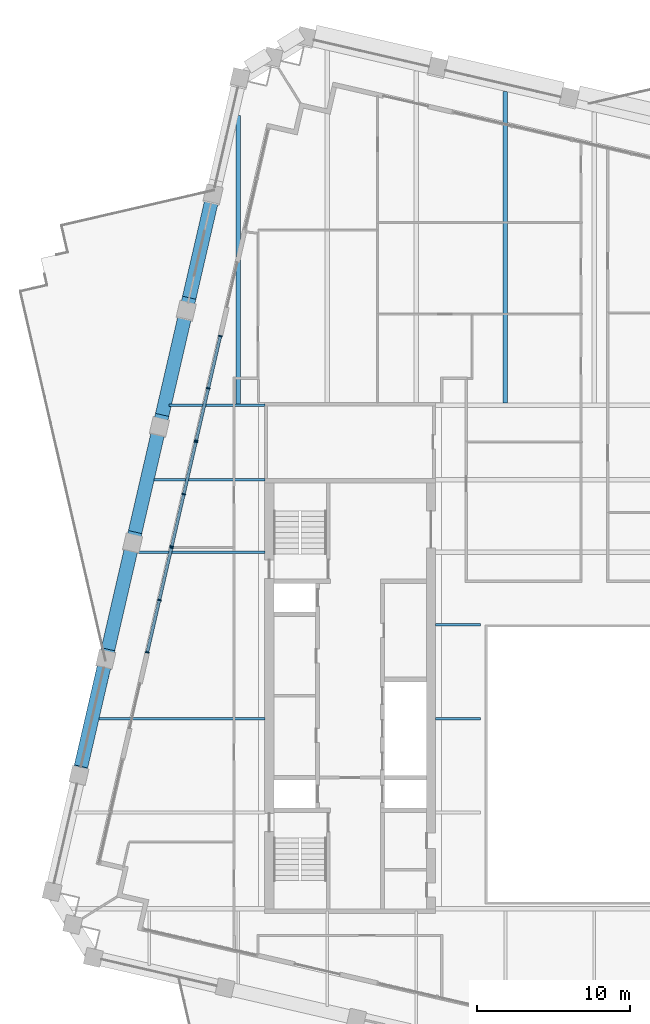
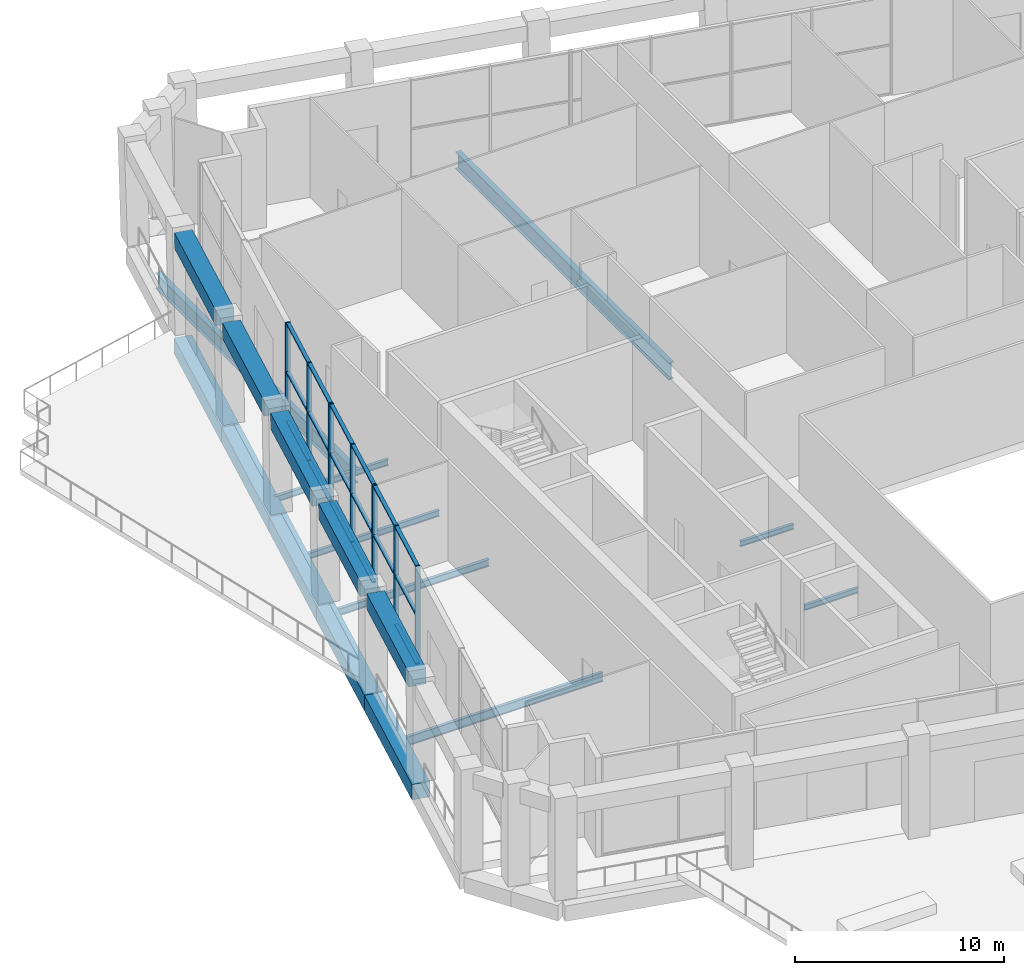
# One storey, part 4 of 21: 27 members, 18 beams, 3 elements without a shape of their own.
"""IFC4 building model written with IfcOpenShell, lengths in metres."""

from ifc_helpers import new_model, si_unit, direction, frame, origin, origin_2d, place, context, subcontext, project, spatial, rectangle, i_section, extrude, material, material_profile, profile_set, type_object, element, aggregate, save


model = new_model("IFC4")

# Units and contexts
model_context = context("Model", 3, precision=1e-05, world=origin(), true_north=direction((0.0, 1.0)))
body_context = subcontext(model_context, "Body", "Model", "MODEL_VIEW")
ifc_project = project(units=[si_unit("LENGTHUNIT", "METRE"), si_unit("AREAUNIT", "SQUARE_METRE"), si_unit("VOLUMEUNIT", "CUBIC_METRE"), si_unit("PLANEANGLEUNIT", "RADIAN"), si_unit("MASSUNIT", "GRAM", prefix="KILO")], contexts=[model_context])

# Site, building, storey
site_placement = place(None, origin())
site = spatial("IfcSite", under=ifc_project, at=site_placement, CompositionType="ELEMENT")
building_placement = place(site_placement, origin())
building = spatial("IfcBuilding", under=site, at=building_placement, Name="Ogive Exchange Tower", CompositionType="ELEMENT")
storey_placement = place(building_placement, frame((0.0, 0.0, 237.0)))
storey = spatial("IfcBuildingStorey", under=building, at=storey_placement, Name="L51", CompositionType="ELEMENT", Elevation=237.0)

# Beams
ifc_material_1 = material(Name="Steel ASTM A992 Gr50", Category="steel")
ifc_material_profile_1 = material_profile(ifc_material_1, i_section(OverallWidth=0.300048828125, OverallDepth=0.97998046875, WebThickness=0.0166015625, FlangeThickness=0.026123046875, at=origin_2d()), Name="W1000x249")
ifc_profile_set_1 = profile_set([ifc_material_profile_1], Name="Steel ASTM A992 Gr50")
beam_type_1 = type_object("IfcBeamType", Name="Floor beam W1000x249", PredefinedType="JOIST", material=ifc_profile_set_1)
beam_1_placement = place(storey_placement, frame((-5.829833984375, 30.695068359375, -0.93994140625), z_axis=(0.0, 1.0, 0.0), x_axis=(-1.0, 0.0, 0.0)))
element("IfcBeam", 1, at=beam_1_placement, inside=storey, type_object=beam_type_1, Name="Floor beam", PredefinedType="JOIST", context=body_context, shape_type="SweptSolid", body=[
    extrude(i_section(OverallWidth=0.300048828125, OverallDepth=0.97998046875, WebThickness=0.0166015625, FlangeThickness=0.026123046875, at=origin_2d()), origin(), (0.0, 0.0, 1.0), 20.40185546875),
])
ifc_material_profile_2 = material_profile(ifc_material_1, i_section(OverallWidth=0.1650390625, OverallDepth=0.31005859375, WebThickness=0.005859375, FlangeThickness=0.009765625, at=origin_2d()), Name="W310x38.7")
ifc_profile_set_2 = profile_set([ifc_material_profile_2], Name="Steel ASTM A992 Gr50")
beam_type_2 = type_object("IfcBeamType", Name="Floor beam W310x38.7", PredefinedType="JOIST", material=ifc_profile_set_2)
beam_2_placement = place(storey_placement, frame((-10.419921875, 10.006591796875, -0.60498046875), z_axis=(1.0, 0.0, 0.0), x_axis=(0.0, 1.0, 0.0)))
element("IfcBeam", 2, at=beam_2_placement, inside=storey, type_object=beam_type_2, Name="Floor beam", PredefinedType="JOIST", context=body_context, shape_type="SweptSolid", body=[
    extrude(i_section(OverallWidth=0.1650390625, OverallDepth=0.31005859375, WebThickness=0.005859375, FlangeThickness=0.009765625, at=origin_2d()), origin(), (0.0, 0.0, 1.0), 2.949951171875),
])
ifc_material_profile_3 = material_profile(ifc_material_1, i_section(OverallWidth=0.1708984375, OverallDepth=0.35595703125, WebThickness=0.00732421875, FlangeThickness=0.01171875, at=origin_2d()), Name="W360x51")
ifc_profile_set_3 = profile_set([ifc_material_profile_3], Name="Steel ASTM A992 Gr50")
beam_type_3 = type_object("IfcBeamType", Name="Floor beam W360x51", PredefinedType="JOIST", material=ifc_profile_set_3)
beam_3_placement = place(storey_placement, frame((-28.831787109375, 25.64501953125, -0.6279296875), z_axis=(1.0, 0.0, 0.0), x_axis=(0.0, 1.0, 0.0)))
element("IfcBeam", 3, at=beam_3_placement, inside=storey, type_object=beam_type_3, Name="Floor beam", PredefinedType="JOIST", context=body_context, shape_type="SweptSolid", body=[
    extrude(i_section(OverallWidth=0.1708984375, OverallDepth=0.35595703125, WebThickness=0.00732421875, FlangeThickness=0.01171875, at=origin_2d()), origin(), (0.0, 0.0, 1.0), 7.251708984375),
])
ifc_material_profile_4 = material_profile(ifc_material_1, i_section(OverallWidth=0.177978515625, OverallDepth=0.406005859375, WebThickness=0.0078125, FlangeThickness=0.0126953125, at=origin_2d()), Name="W410x60")
ifc_profile_set_4 = profile_set([ifc_material_profile_4], Name="Steel ASTM A992 Gr50")
beam_type_4 = type_object("IfcBeamType", Name="Floor beam W410x60", PredefinedType="JOIST", material=ifc_profile_set_4)
beam_4_placement = place(storey_placement, frame((-29.927001953125, 20.89990234375, -0.653076171875), z_axis=(1.0, 0.0, 0.0), x_axis=(0.0, 1.0, 0.0)))
element("IfcBeam", 4, at=beam_4_placement, inside=storey, type_object=beam_type_4, Name="Floor beam", PredefinedType="JOIST", context=body_context, shape_type="SweptSolid", body=[
    extrude(i_section(OverallWidth=0.177978515625, OverallDepth=0.406005859375, WebThickness=0.0078125, FlangeThickness=0.0126953125, at=origin_2d()), origin(), (0.0, 0.0, 1.0), 8.346923828125),
])
ifc_material_profile_5 = material_profile(ifc_material_1, i_section(OverallWidth=0.1669921875, OverallDepth=0.535888671875, WebThickness=0.01025390625, FlangeThickness=0.0166015625, at=origin_2d()), Name="W530x85")
ifc_profile_set_5 = profile_set([ifc_material_profile_5], Name="Steel ASTM A992 Gr50")
beam_type_5 = type_object("IfcBeamType", Name="Floor beam W530x85", PredefinedType="JOIST", material=ifc_profile_set_5)
beam_5_placement = place(storey_placement, frame((-32.442138671875, 10.006591796875, -0.718017578125), z_axis=(1.0, 0.0, 0.0), x_axis=(0.0, 1.0, 0.0)))
element("IfcBeam", 5, at=beam_5_placement, inside=storey, type_object=beam_type_5, Name="Floor beam", PredefinedType="JOIST", context=body_context, shape_type="SweptSolid", body=[
    extrude(i_section(OverallWidth=0.1669921875, OverallDepth=0.535888671875, WebThickness=0.01025390625, FlangeThickness=0.0166015625, at=origin_2d()), origin(), (0.0, 0.0, 1.0), 10.862060546875),
])
ifc_material_profile_6 = material_profile(ifc_material_1, i_section(OverallWidth=0.304931640625, OverallDepth=0.904052734375, WebThickness=0.01513671875, FlangeThickness=0.02001953125, at=origin_2d()), Name="W920x201")
ifc_profile_set_6 = profile_set([ifc_material_profile_6], Name="Steel ASTM A992 Gr50")
beam_type_6 = type_object("IfcBeamType", Name="Floor beam W920x201", PredefinedType="JOIST", material=ifc_profile_set_6)
beam_6_placement = place(storey_placement, frame((-23.319091796875, 30.630615234375, -0.902099609375), z_axis=(0.0, 1.0, 0.0), x_axis=(-1.0, 0.0, 0.0)))
element("IfcBeam", 6, at=beam_6_placement, inside=storey, type_object=beam_type_6, Name="Floor beam", PredefinedType="JOIST", context=body_context, shape_type="SweptSolid", body=[
    extrude(i_section(OverallWidth=0.304931640625, OverallDepth=0.904052734375, WebThickness=0.01513671875, FlangeThickness=0.02001953125, at=origin_2d()), origin(), (0.0, 0.0, 1.0), 18.891845703125),
])
ifc_material_profile_7 = material_profile(ifc_material_1, i_section(OverallWidth=0.1650390625, OverallDepth=0.31005859375, WebThickness=0.005859375, FlangeThickness=0.009765625, at=origin_2d()), Name="W310x38.7")
ifc_profile_set_7 = profile_set([ifc_material_profile_7], Name="Steel ASTM A992 Gr50")
beam_type_7 = type_object("IfcBeamType", Name="Girder W310x38.7", PredefinedType="BEAM", material=ifc_profile_set_7)
beam_7_placement = place(storey_placement, frame((-10.419921875, 16.155029296875, -0.60498046875), z_axis=(1.0, 0.0, 0.0), x_axis=(0.0, 1.0, 0.0)))
element("IfcBeam", 7, at=beam_7_placement, inside=storey, type_object=beam_type_7, Name="Trimmer girder", PredefinedType="BEAM", context=body_context, shape_type="SweptSolid", body=[
    extrude(i_section(OverallWidth=0.1650390625, OverallDepth=0.31005859375, WebThickness=0.005859375, FlangeThickness=0.009765625, at=origin_2d()), origin(), (0.0, 0.0, 1.0), 2.949951171875),
])
ifc_material_profile_8 = material_profile(ifc_material_1, i_section(OverallWidth=0.1708984375, OverallDepth=0.35595703125, WebThickness=0.00732421875, FlangeThickness=0.01171875, at=origin_2d()), Name="W360x51")
ifc_profile_set_8 = profile_set([ifc_material_profile_8], Name="Steel ASTM A992 Gr50")
beam_type_8 = type_object("IfcBeamType", Name="Girder W360x51", PredefinedType="BEAM", material=ifc_profile_set_8)
beam_8_placement = place(storey_placement, frame((-27.850341796875, 30.544921875, -0.6279296875), z_axis=(1.0, 0.0, 0.0), x_axis=(0.0, 1.0, 0.0)))
element("IfcBeam", 8, at=beam_8_placement, inside=storey, type_object=beam_type_8, Name="Header girder", PredefinedType="BEAM", context=body_context, shape_type="SweptSolid", body=[
    extrude(i_section(OverallWidth=0.1708984375, OverallDepth=0.35595703125, WebThickness=0.00732421875, FlangeThickness=0.01171875, at=origin_2d()), origin(), (0.0, 0.0, 1.0), 6.270263671875),
])
ifc_material_2 = material(Name="Precast concrete C70/85 (limestone faced)", Category="masonry")
ifc_material_profile_9 = material_profile(ifc_material_2, rectangle(XDim=0.89990234375, YDim=0.89990234375, at=origin_2d()), Name="900 x 900")
ifc_profile_set_9 = profile_set([ifc_material_profile_9], Name="Precast concrete C70/85 (limestone faced)")
beam_type_9 = type_object("IfcBeamType", Name="Precast spandrel 900 x 900 C70/85", PredefinedType="SPANDREL", material=ifc_profile_set_9)
for number, where, z_axis, x_axis, name in (
    (9, (-25.0048828125, 44.2216796875, 5.300048828125), (-0.224945807101, -0.974371276192, 0.0), (0.974371276192, -0.224945807101, 0.0), "Spandrel 27"),
    (10, (-26.77685546875, 36.545654296875, 5.300048828125), (-0.224945807101, -0.974371276192, 0.0), (0.974371276192, -0.224945807101, 0.0), "Spandrel 28"),
    (11, (-28.549072265625, 28.86962890625, 5.300048828125), (-0.224945807101, -0.974371276192, 0.0), (0.974371276192, -0.224945807101, 0.0), "Spandrel 29"),
    (12, (-30.3212890625, 21.193603515625, 5.300048828125), (-0.224945807101, -0.974371276192, 0.0), (0.974371276192, -0.224945807101, 0.0), "Spandrel 30"),
):
    element("IfcBeam", number, at=place(storey_placement, frame(where, z_axis=z_axis, x_axis=x_axis)), inside=storey, type_object=beam_type_9, Name=name, PredefinedType="SPANDREL", context=body_context, shape_type="SweptSolid", body=[
        extrude(rectangle(XDim=0.89990234375, YDim=0.89990234375, at=origin_2d()), origin(), (0.0, 0.0, 1.0), 6.818115234375),
    ])
beam_9_placement = place(storey_placement, frame((-32.093505859375, 13.517578125, 5.300048828125), z_axis=(-0.22495365579, -0.97436946419, 0.0), x_axis=(0.97436946419, -0.22495365579, 0.0)))
element("IfcBeam", 13, at=beam_9_placement, inside=storey, type_object=beam_type_9, Name="Spandrel 31", PredefinedType="SPANDREL", context=body_context, shape_type="SweptSolid", body=[
    extrude(rectangle(XDim=0.89990234375, YDim=0.89990234375, at=origin_2d()), origin(), (0.0, 0.0, 1.0), 6.81787109375),
])
ifc_material_profile_10 = material_profile(ifc_material_2, rectangle(XDim=0.89990234375, YDim=0.89990234375, at=origin_2d()), Name="900 x 900")
ifc_profile_set_10 = profile_set([ifc_material_profile_10], Name="Precast concrete C70/85 (limestone faced)")
beam_type_10 = type_object("IfcBeamType", Name="Precast transfer girder 900 x 900 C70/85", PredefinedType="BEAM", material=ifc_profile_set_10)
for number, where, z_axis, x_axis, name in (
    (14, (-24.99072265625, 44.282470703125, -0.89990234375), (-0.22495322987, -0.974369562523, 0.0), (0.974369562523, -0.22495322987, 0.0), "Transfer girder 27"),
    (15, (-26.745361328125, 36.682373046875, -0.89990234375), (-0.22495322987, -0.974369562523, 0.0), (0.974369562523, -0.22495322987, 0.0), "Transfer girder 28"),
    (16, (-28.5, 29.082275390625, -0.89990234375), (-0.22495322987, -0.974369562523, 0.0), (0.974369562523, -0.22495322987, 0.0), "Transfer girder 29"),
    (17, (-30.254638671875, 21.482177734375, -0.89990234375), (-0.22495322987, -0.974369562523, 0.0), (0.974369562523, -0.22495322987, 0.0), "Transfer girder 30"),
    (18, (-32.00927734375, 13.882080078125, -0.89990234375), (-0.22495322987, -0.974369562523, 0.0), (0.974369562523, -0.22495322987, 0.0), "Transfer girder 31"),
):
    element("IfcBeam", number, at=place(storey_placement, frame(where, z_axis=z_axis, x_axis=x_axis)), inside=storey, type_object=beam_type_10, Name=name, PredefinedType="BEAM", context=body_context, shape_type="SweptSolid", body=[
        extrude(rectangle(XDim=0.89990234375, YDim=0.89990234375, at=origin_2d()), origin(), (0.0, 0.0, 1.0), 7.800048828125),
    ])

# Curtain wall, members
ifc_material_3 = material(Name="Anodised aluminium and clear glass", Category="aluminium")
curtain_wall_type = type_object("IfcCurtainWallType", Name="Winter garden glazing", PredefinedType="NOTDEFINED", material=ifc_material_3)
curtain_wall_1_placement = place(storey_placement, origin())
curtain_wall_1 = element("IfcCurtainWall", 19, at=curtain_wall_1_placement, inside=storey, type_object=curtain_wall_type, Name="Winter garden glazing run G22", PredefinedType="NOTDEFINED")
ifc_material_4 = material(Name="Anodised aluminium", Category="aluminium")
ifc_material_profile_11 = material_profile(ifc_material_4, rectangle(XDim=0.239990234375, YDim=0.080078125, at=origin_2d()), Name="AL 80x240")
ifc_profile_set_11 = profile_set([ifc_material_profile_11], Name="Anodised aluminium")
member_type_1 = type_object("IfcMemberType", Name="Winter garden glazing mullion 80 x 240", PredefinedType="MULLION", material=ifc_profile_set_11)
member_1_placement = place(storey_placement, frame((-24.5009765625, 35.067626953125, 0.0), z_axis=(0.0, 0.0, 1.0), x_axis=(0.974372477105, -0.224940605185, 0.0)))
member_1 = element("IfcMember", 20, at=member_1_placement, type_object=member_type_1, Name="G22 mullion 1", PredefinedType="MULLION", context=body_context, shape_type="SweptSolid", body=[
    extrude(rectangle(XDim=0.239990234375, YDim=0.080078125, at=origin_2d()), origin(), (0.0, 0.0, 1.0), 5.800048828125),
])
member_2_placement = place(storey_placement, frame((-25.292236328125, 31.640625, 0.0), z_axis=(0.0, 0.0, 1.0), x_axis=(0.974372477105, -0.224940605185, 0.0)))
member_2 = element("IfcMember", 21, at=member_2_placement, type_object=member_type_1, Name="G22 mullion 2", PredefinedType="MULLION", context=body_context, shape_type="SweptSolid", body=[
    extrude(rectangle(XDim=0.239990234375, YDim=0.080078125, at=origin_2d()), origin(), (0.0, 0.0, 1.0), 5.800048828125),
])
member_3_placement = place(storey_placement, frame((-26.08349609375, 28.213623046875, 0.0), z_axis=(0.0, 0.0, 1.0), x_axis=(0.974372477105, -0.224940605185, 0.0)))
member_3 = element("IfcMember", 22, at=member_3_placement, type_object=member_type_1, Name="G22 mullion 3", PredefinedType="MULLION", context=body_context, shape_type="SweptSolid", body=[
    extrude(rectangle(XDim=0.239990234375, YDim=0.080078125, at=origin_2d()), origin(), (0.0, 0.0, 1.0), 5.800048828125),
])

curtain_wall_2_placement = place(storey_placement, origin())
curtain_wall_2 = element("IfcCurtainWall", 23, at=curtain_wall_2_placement, inside=storey, type_object=curtain_wall_type, Name="Winter garden glazing run G23", PredefinedType="NOTDEFINED")
member_4_placement = place(storey_placement, frame((-26.101318359375, 28.1357421875, 0.0), z_axis=(0.0, 0.0, 1.0), x_axis=(0.974368684938, -0.224957031035, 0.0)))
member_4 = element("IfcMember", 24, at=member_4_placement, type_object=member_type_1, Name="G23 mullion 1", PredefinedType="MULLION", context=body_context, shape_type="SweptSolid", body=[
    extrude(rectangle(XDim=0.239990234375, YDim=0.080078125, at=origin_2d()), origin(), (0.0, 0.0, 1.0), 5.800048828125),
])
member_5_placement = place(storey_placement, frame((-26.892578125, 24.708740234375, 0.0), z_axis=(0.0, 0.0, 1.0), x_axis=(0.974368684938, -0.224957031035, 0.0)))
member_5 = element("IfcMember", 25, at=member_5_placement, type_object=member_type_1, Name="G23 mullion 2", PredefinedType="MULLION", context=body_context, shape_type="SweptSolid", body=[
    extrude(rectangle(XDim=0.239990234375, YDim=0.080078125, at=origin_2d()), origin(), (0.0, 0.0, 1.0), 5.800048828125),
])
member_6_placement = place(storey_placement, frame((-27.683837890625, 21.28173828125, 0.0), z_axis=(0.0, 0.0, 1.0), x_axis=(0.974368684938, -0.224957031035, 0.0)))
member_6 = element("IfcMember", 26, at=member_6_placement, type_object=member_type_1, Name="G23 mullion 3", PredefinedType="MULLION", context=body_context, shape_type="SweptSolid", body=[
    extrude(rectangle(XDim=0.239990234375, YDim=0.080078125, at=origin_2d()), origin(), (0.0, 0.0, 1.0), 5.800048828125),
])

curtain_wall_3_placement = place(storey_placement, origin())
curtain_wall_3 = element("IfcCurtainWall", 27, at=curtain_wall_3_placement, inside=storey, type_object=curtain_wall_type, Name="Winter garden glazing run G24", PredefinedType="NOTDEFINED")
member_7_placement = place(storey_placement, frame((-27.701904296875, 21.20361328125, 0.0), z_axis=(0.0, 0.0, 1.0), x_axis=(0.974369396254, -0.224953950051, 0.0)))
member_7 = element("IfcMember", 28, at=member_7_placement, type_object=member_type_1, Name="G24 mullion 1", PredefinedType="MULLION", context=body_context, shape_type="SweptSolid", body=[
    extrude(rectangle(XDim=0.239990234375, YDim=0.080078125, at=origin_2d()), origin(), (0.0, 0.0, 1.0), 5.800048828125),
])
member_8_placement = place(storey_placement, frame((-28.492919921875, 17.776611328125, 0.0), z_axis=(0.0, 0.0, 1.0), x_axis=(0.974369396254, -0.224953950051, 0.0)))
member_8 = element("IfcMember", 29, at=member_8_placement, type_object=member_type_1, Name="G24 mullion 2", PredefinedType="MULLION", context=body_context, shape_type="SweptSolid", body=[
    extrude(rectangle(XDim=0.239990234375, YDim=0.080078125, at=origin_2d()), origin(), (0.0, 0.0, 1.0), 5.800048828125),
])
member_9_placement = place(storey_placement, frame((-29.2841796875, 14.349609375, 0.0), z_axis=(0.0, 0.0, 1.0), x_axis=(0.974369396254, -0.224953950051, 0.0)))
member_9 = element("IfcMember", 30, at=member_9_placement, type_object=member_type_1, Name="G24 mullion 3", PredefinedType="MULLION", context=body_context, shape_type="SweptSolid", body=[
    extrude(rectangle(XDim=0.239990234375, YDim=0.080078125, at=origin_2d()), origin(), (0.0, 0.0, 1.0), 5.800048828125),
])

# Member
ifc_material_profile_12 = material_profile(ifc_material_4, rectangle(XDim=0.199951171875, YDim=0.080078125, at=origin_2d()), Name="AL 80x200")
ifc_profile_set_12 = profile_set([ifc_material_profile_12], Name="Anodised aluminium")
member_type_2 = type_object("IfcMemberType", Name="Winter garden glazing transom 80 x 200", PredefinedType="USERDEFINED", material=ifc_profile_set_12)
member_10_placement = place(storey_placement, frame((-24.510009765625, 35.028564453125, 0.0400390625), z_axis=(-0.224963262299, -0.974367246276, 0.0), x_axis=(0.974367246276, -0.224963262299, 0.0)))
member_10 = element("IfcMember", 31, at=member_10_placement, type_object=member_type_2, Name="G22 transom 1.1", ObjectType="TRANSOM", PredefinedType="USERDEFINED", context=body_context, shape_type="SweptSolid", body=[
    extrude(rectangle(XDim=0.199951171875, YDim=0.080078125, at=origin_2d()), origin(), (0.0, 0.0, 1.0), 3.43701171875),
])

member_11_placement = place(storey_placement, frame((-24.510009765625, 35.028564453125, 2.89990234375), z_axis=(-0.224963262299, -0.974367246276, 0.0), x_axis=(0.974367246276, -0.224963262299, 0.0)))
member_11 = element("IfcMember", 32, at=member_11_placement, type_object=member_type_2, Name="G22 transom 1.2", ObjectType="TRANSOM", PredefinedType="USERDEFINED", context=body_context, shape_type="SweptSolid", body=[
    extrude(rectangle(XDim=0.199951171875, YDim=0.080078125, at=origin_2d()), origin(), (0.0, 0.0, 1.0), 3.43701171875),
])

member_12_placement = place(storey_placement, frame((-24.510009765625, 35.028564453125, 5.760009765625), z_axis=(-0.224963262299, -0.974367246276, 0.0), x_axis=(0.974367246276, -0.224963262299, 0.0)))
member_12 = element("IfcMember", 33, at=member_12_placement, type_object=member_type_2, Name="G22 transom 1.3", ObjectType="TRANSOM", PredefinedType="USERDEFINED", context=body_context, shape_type="SweptSolid", body=[
    extrude(rectangle(XDim=0.199951171875, YDim=0.080078125, at=origin_2d()), origin(), (0.0, 0.0, 1.0), 3.43701171875),
])

member_13_placement = place(storey_placement, frame((-25.30126953125, 31.6015625, 0.0400390625), z_axis=(-0.224947693018, -0.974370840802, 0.0), x_axis=(0.974370840802, -0.224947693018, 0.0)))
member_13 = element("IfcMember", 34, at=member_13_placement, type_object=member_type_2, Name="G22 transom 2.1", ObjectType="TRANSOM", PredefinedType="USERDEFINED", context=body_context, shape_type="SweptSolid", body=[
    extrude(rectangle(XDim=0.199951171875, YDim=0.080078125, at=origin_2d()), origin(), (0.0, 0.0, 1.0), 3.437255859375),
])

member_14_placement = place(storey_placement, frame((-25.30126953125, 31.6015625, 2.89990234375), z_axis=(-0.224947693018, -0.974370840802, 0.0), x_axis=(0.974370840802, -0.224947693018, 0.0)))
member_14 = element("IfcMember", 35, at=member_14_placement, type_object=member_type_2, Name="G22 transom 2.2", ObjectType="TRANSOM", PredefinedType="USERDEFINED", context=body_context, shape_type="SweptSolid", body=[
    extrude(rectangle(XDim=0.199951171875, YDim=0.080078125, at=origin_2d()), origin(), (0.0, 0.0, 1.0), 3.437255859375),
])

member_15_placement = place(storey_placement, frame((-25.30126953125, 31.6015625, 5.760009765625), z_axis=(-0.224947693018, -0.974370840802, 0.0), x_axis=(0.974370840802, -0.224947693018, 0.0)))
member_15 = element("IfcMember", 36, at=member_15_placement, type_object=member_type_2, Name="G22 transom 2.3", ObjectType="TRANSOM", PredefinedType="USERDEFINED", context=body_context, shape_type="SweptSolid", body=[
    extrude(rectangle(XDim=0.199951171875, YDim=0.080078125, at=origin_2d()), origin(), (0.0, 0.0, 1.0), 3.437255859375),
])

aggregate(curtain_wall_1, [member_1, member_2, member_3, member_10, member_11, member_12, member_13, member_14, member_15])

member_16_placement = place(storey_placement, frame((-26.1103515625, 28.0966796875, 0.0400390625), z_axis=(-0.224947693018, -0.974370840802, 0.0), x_axis=(0.974370840802, -0.224947693018, 0.0)))
member_16 = element("IfcMember", 37, at=member_16_placement, type_object=member_type_2, Name="G23 transom 1.1", ObjectType="TRANSOM", PredefinedType="USERDEFINED", context=body_context, shape_type="SweptSolid", body=[
    extrude(rectangle(XDim=0.199951171875, YDim=0.080078125, at=origin_2d()), origin(), (0.0, 0.0, 1.0), 3.437255859375),
])

member_17_placement = place(storey_placement, frame((-26.1103515625, 28.0966796875, 2.89990234375), z_axis=(-0.224947693018, -0.974370840802, 0.0), x_axis=(0.974370840802, -0.224947693018, 0.0)))
member_17 = element("IfcMember", 38, at=member_17_placement, type_object=member_type_2, Name="G23 transom 1.2", ObjectType="TRANSOM", PredefinedType="USERDEFINED", context=body_context, shape_type="SweptSolid", body=[
    extrude(rectangle(XDim=0.199951171875, YDim=0.080078125, at=origin_2d()), origin(), (0.0, 0.0, 1.0), 3.437255859375),
])

member_18_placement = place(storey_placement, frame((-26.1103515625, 28.0966796875, 5.760009765625), z_axis=(-0.224947693018, -0.974370840802, 0.0), x_axis=(0.974370840802, -0.224947693018, 0.0)))
member_18 = element("IfcMember", 39, at=member_18_placement, type_object=member_type_2, Name="G23 transom 1.3", ObjectType="TRANSOM", PredefinedType="USERDEFINED", context=body_context, shape_type="SweptSolid", body=[
    extrude(rectangle(XDim=0.199951171875, YDim=0.080078125, at=origin_2d()), origin(), (0.0, 0.0, 1.0), 3.437255859375),
])

member_19_placement = place(storey_placement, frame((-26.901611328125, 24.669677734375, 0.0400390625), z_axis=(-0.224947693018, -0.974370840802, 0.0), x_axis=(0.974370840802, -0.224947693018, 0.0)))
member_19 = element("IfcMember", 40, at=member_19_placement, type_object=member_type_2, Name="G23 transom 2.1", ObjectType="TRANSOM", PredefinedType="USERDEFINED", context=body_context, shape_type="SweptSolid", body=[
    extrude(rectangle(XDim=0.199951171875, YDim=0.080078125, at=origin_2d()), origin(), (0.0, 0.0, 1.0), 3.437255859375),
])

member_20_placement = place(storey_placement, frame((-26.901611328125, 24.669677734375, 2.89990234375), z_axis=(-0.224947693018, -0.974370840802, 0.0), x_axis=(0.974370840802, -0.224947693018, 0.0)))
member_20 = element("IfcMember", 41, at=member_20_placement, type_object=member_type_2, Name="G23 transom 2.2", ObjectType="TRANSOM", PredefinedType="USERDEFINED", context=body_context, shape_type="SweptSolid", body=[
    extrude(rectangle(XDim=0.199951171875, YDim=0.080078125, at=origin_2d()), origin(), (0.0, 0.0, 1.0), 3.437255859375),
])

member_21_placement = place(storey_placement, frame((-26.901611328125, 24.669677734375, 5.760009765625), z_axis=(-0.224947693018, -0.974370840802, 0.0), x_axis=(0.974370840802, -0.224947693018, 0.0)))
member_21 = element("IfcMember", 42, at=member_21_placement, type_object=member_type_2, Name="G23 transom 2.3", ObjectType="TRANSOM", PredefinedType="USERDEFINED", context=body_context, shape_type="SweptSolid", body=[
    extrude(rectangle(XDim=0.199951171875, YDim=0.080078125, at=origin_2d()), origin(), (0.0, 0.0, 1.0), 3.437255859375),
])

aggregate(curtain_wall_2, [member_4, member_5, member_6, member_16, member_17, member_18, member_19, member_20, member_21])

member_22_placement = place(storey_placement, frame((-27.710693359375, 21.164794921875, 0.0400390625), z_axis=(-0.224947693018, -0.974370840802, 0.0), x_axis=(0.974370840802, -0.224947693018, 0.0)))
member_22 = element("IfcMember", 43, at=member_22_placement, type_object=member_type_2, Name="G24 transom 1.1", ObjectType="TRANSOM", PredefinedType="USERDEFINED", context=body_context, shape_type="SweptSolid", body=[
    extrude(rectangle(XDim=0.199951171875, YDim=0.080078125, at=origin_2d()), origin(), (0.0, 0.0, 1.0), 3.437255859375),
])

member_23_placement = place(storey_placement, frame((-27.710693359375, 21.164794921875, 2.89990234375), z_axis=(-0.224947693018, -0.974370840802, 0.0), x_axis=(0.974370840802, -0.224947693018, 0.0)))
member_23 = element("IfcMember", 44, at=member_23_placement, type_object=member_type_2, Name="G24 transom 1.2", ObjectType="TRANSOM", PredefinedType="USERDEFINED", context=body_context, shape_type="SweptSolid", body=[
    extrude(rectangle(XDim=0.199951171875, YDim=0.080078125, at=origin_2d()), origin(), (0.0, 0.0, 1.0), 3.437255859375),
])

member_24_placement = place(storey_placement, frame((-27.710693359375, 21.164794921875, 5.760009765625), z_axis=(-0.224947693018, -0.974370840802, 0.0), x_axis=(0.974370840802, -0.224947693018, 0.0)))
member_24 = element("IfcMember", 45, at=member_24_placement, type_object=member_type_2, Name="G24 transom 1.3", ObjectType="TRANSOM", PredefinedType="USERDEFINED", context=body_context, shape_type="SweptSolid", body=[
    extrude(rectangle(XDim=0.199951171875, YDim=0.080078125, at=origin_2d()), origin(), (0.0, 0.0, 1.0), 3.437255859375),
])

member_25_placement = place(storey_placement, frame((-28.501953125, 17.73779296875, 0.0400390625), z_axis=(-0.224947693018, -0.974370840802, 0.0), x_axis=(0.974370840802, -0.224947693018, 0.0)))
member_25 = element("IfcMember", 46, at=member_25_placement, type_object=member_type_2, Name="G24 transom 2.1", ObjectType="TRANSOM", PredefinedType="USERDEFINED", context=body_context, shape_type="SweptSolid", body=[
    extrude(rectangle(XDim=0.199951171875, YDim=0.080078125, at=origin_2d()), origin(), (0.0, 0.0, 1.0), 3.437255859375),
])

member_26_placement = place(storey_placement, frame((-28.501953125, 17.73779296875, 2.89990234375), z_axis=(-0.224947693018, -0.974370840802, 0.0), x_axis=(0.974370840802, -0.224947693018, 0.0)))
member_26 = element("IfcMember", 47, at=member_26_placement, type_object=member_type_2, Name="G24 transom 2.2", ObjectType="TRANSOM", PredefinedType="USERDEFINED", context=body_context, shape_type="SweptSolid", body=[
    extrude(rectangle(XDim=0.199951171875, YDim=0.080078125, at=origin_2d()), origin(), (0.0, 0.0, 1.0), 3.437255859375),
])

member_27_placement = place(storey_placement, frame((-28.501953125, 17.73779296875, 5.760009765625), z_axis=(-0.224947693018, -0.974370840802, 0.0), x_axis=(0.974370840802, -0.224947693018, 0.0)))
member_27 = element("IfcMember", 48, at=member_27_placement, type_object=member_type_2, Name="G24 transom 2.3", ObjectType="TRANSOM", PredefinedType="USERDEFINED", context=body_context, shape_type="SweptSolid", body=[
    extrude(rectangle(XDim=0.199951171875, YDim=0.080078125, at=origin_2d()), origin(), (0.0, 0.0, 1.0), 3.437255859375),
])

aggregate(curtain_wall_3, [member_7, member_8, member_9, member_22, member_23, member_24, member_25, member_26, member_27])

save(model, "model.ifc")
